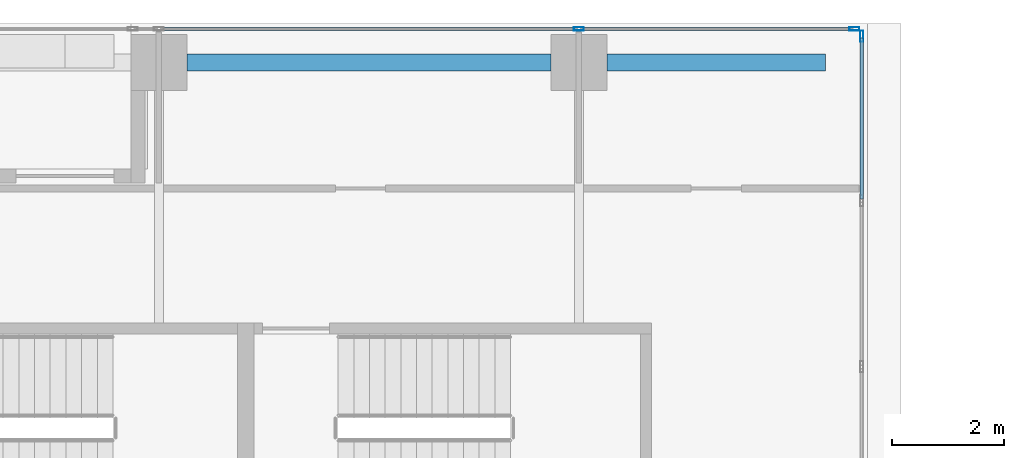
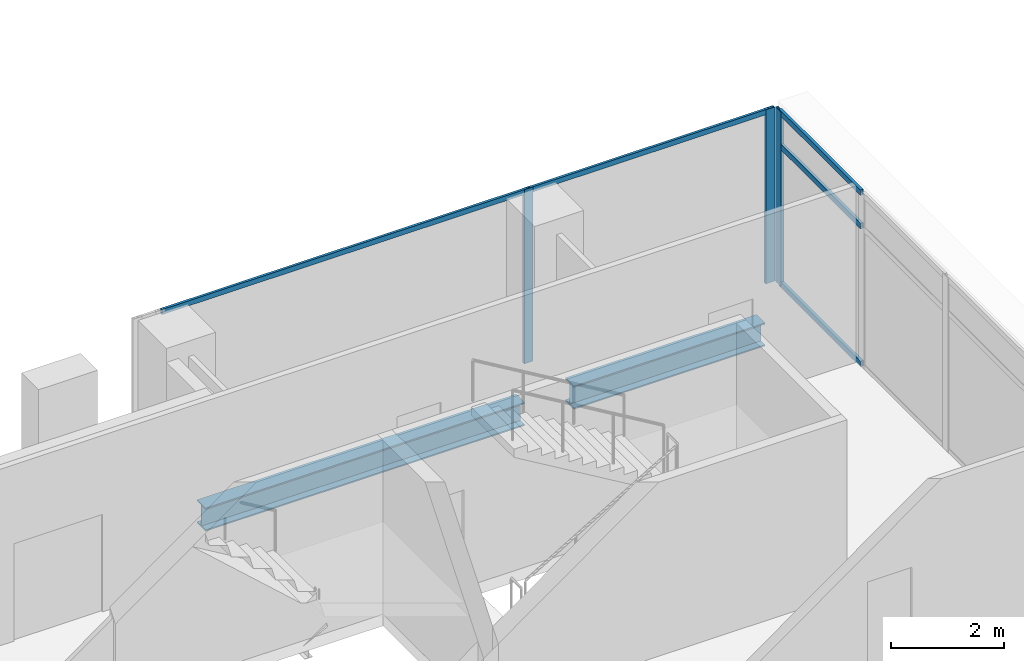
# One storey, part 24 of 38: 8 members, 2 beams, 2 elements without a shape of their own.
"""IFC4 building model written with IfcOpenShell, lengths in metres."""

from ifc_helpers import new_model, si_unit, direction, frame, origin, origin_2d, place, context, subcontext, project, spatial, hollow_rectangle, i_section, extrude, source, transform, mapped, material, material_profile, profile_set, type_object, element, aggregate, save


model = new_model("IFC4")

# Units and contexts
model_context = context("Model", 3, precision=1e-05, world=origin(), true_north=direction((0.0, 1.0)))
body_context = subcontext(model_context, "Body", "Model", "MODEL_VIEW")
ifc_project = project(units=[si_unit("LENGTHUNIT", "METRE"), si_unit("AREAUNIT", "SQUARE_METRE"), si_unit("VOLUMEUNIT", "CUBIC_METRE"), si_unit("PLANEANGLEUNIT", "RADIAN"), si_unit("MASSUNIT", "GRAM", prefix="KILO")], contexts=[model_context])

# Site, building, storey
site_placement = place(None, origin())
site = spatial("IfcSite", under=ifc_project, at=site_placement, CompositionType="ELEMENT")
building_placement = place(site_placement, origin())
building = spatial("IfcBuilding", under=site, at=building_placement, Name="Khomas Fold Tower", CompositionType="ELEMENT")
storey_placement = place(building_placement, frame((0.0, 0.0, 172.699951171875)))
storey = spatial("IfcBuildingStorey", under=building, at=storey_placement, Name="L37", CompositionType="ELEMENT", Elevation=172.699951171875)

# Beams
ifc_material_1 = material(Name="Steel S355", Category="steel")
ifc_material_profile_1 = material_profile(ifc_material_1, i_section(OverallWidth=0.300048828125, OverallDepth=0.5, WebThickness=0.014404296875, FlangeThickness=0.028076171875, at=origin_2d()), Name="HE 500 B")
ifc_profile_set_1 = profile_set([ifc_material_profile_1], Name="Steel S355")
beam_type = type_object("IfcBeamType", Name="HE 500 B spandrel SB3", PredefinedType="SPANDREL", material=ifc_profile_set_1)
shared_shape_1 = source(origin(), body_context, "Body", "SweptSolid", [
    extrude(i_section(OverallWidth=0.300048828125, OverallDepth=0.5, WebThickness=0.014404296875, FlangeThickness=0.028076171875, at=origin_2d()), origin(), (0.0, 0.0, 1.0), 6.5),
])
beam_1_placement = place(storey_placement, frame((20.0, 50.300048828125, -0.5), z_axis=(1.0, 0.0, 0.0), x_axis=(0.0, 1.0, 0.0)))
element("IfcBeam", 1, at=beam_1_placement, inside=storey, type_object=beam_type, Name="SB3", PredefinedType="SPANDREL", context=body_context, shape_type="MappedRepresentation", body=[
    mapped(shared_shape_1, transform((0.0, 0.0, 0.0))),
])
shared_shape_2 = source(origin(), body_context, "Body", "SweptSolid", [
    extrude(i_section(OverallWidth=0.300048828125, OverallDepth=0.5, WebThickness=0.014404296875, FlangeThickness=0.028076171875, at=origin_2d()), origin(), (0.0, 0.0, 1.0), 3.89990234375),
])
beam_2_placement = place(storey_placement, frame((27.5, 50.300048828125, -0.5), z_axis=(1.0, 0.0, 0.0), x_axis=(0.0, 1.0, 0.0)))
element("IfcBeam", 2, at=beam_2_placement, inside=storey, type_object=beam_type, Name="SB3", PredefinedType="SPANDREL", context=body_context, shape_type="MappedRepresentation", body=[
    mapped(shared_shape_2, transform((0.0, 0.0, 0.0))),
])

# Curtain wall, members
ifc_material_2 = material(Name="Aluminium framed double glazing", Category="aluminium")
curtain_wall_type_1 = type_object("IfcCurtainWallType", Name="SK-Unitised clear-glass wall, office floors CW2", PredefinedType="NOTDEFINED", material=ifc_material_2)
curtain_wall_1_placement = place(storey_placement, origin())
curtain_wall_1 = element("IfcCurtainWall", 3, at=curtain_wall_1_placement, inside=storey, type_object=curtain_wall_type_1, Name="CW2 run L37 15-0", PredefinedType="NOTDEFINED")
ifc_material_3 = material(Name="Aluminium", Category="aluminium")
ifc_material_profile_2 = material_profile(ifc_material_3, hollow_rectangle(XDim=0.06005859375, YDim=0.179931640625, WallThickness=0.00390625, at=origin_2d()), Name="SK-Unitised clear-glass wall, office floors mullion CW2-M")
ifc_profile_set_2 = profile_set([ifc_material_profile_2], Name="Aluminium")
member_type_1 = type_object("IfcMemberType", Name="SK-Unitised clear-glass wall, office floors mullion CW2-M", PredefinedType="MULLION", material=ifc_profile_set_2)
shared_shape_3 = source(origin(), body_context, "Body", "SweptSolid", [
    extrude(hollow_rectangle(XDim=0.06005859375, YDim=0.179931640625, WallThickness=0.00390625, at=origin_2d()), origin(), (0.0, 0.0, 1.0), 3.75),
])
member_1_placement = place(storey_placement, frame((31.919921875, 50.89990234375, 0.0), z_axis=(0.0, 0.0, 1.0), x_axis=(0.0, -1.0, 0.0)))
member_1 = element("IfcMember", 4, at=member_1_placement, type_object=member_type_1, Name="CW2 mullion 1", PredefinedType="MULLION", context=body_context, shape_type="MappedRepresentation", body=[
    mapped(shared_shape_3, transform((0.0, 0.0, 0.0))),
])
member_2_placement = place(storey_placement, frame((27.0, 50.89990234375, 0.0), z_axis=(0.0, 0.0, 1.0), x_axis=(0.0, -1.0, 0.0)))
member_2 = element("IfcMember", 5, at=member_2_placement, type_object=member_type_1, Name="CW2 mullion 2", PredefinedType="MULLION", context=body_context, shape_type="MappedRepresentation", body=[
    mapped(shared_shape_3, transform((0.0, 0.0, 0.0))),
])
ifc_material_4 = material(Name="Aluminium", Category="aluminium")
ifc_material_profile_3 = material_profile(ifc_material_4, hollow_rectangle(XDim=0.050048828125, YDim=0.110107421875, WallThickness=0.00390625, at=origin_2d()), Name="SK-Unitised clear-glass wall, office floors transom CW2-T")
ifc_profile_set_3 = profile_set([ifc_material_profile_3], Name="Aluminium")
member_type_2 = type_object("IfcMemberType", Name="SK-Unitised clear-glass wall, office floors transom CW2-T", PredefinedType="USERDEFINED", material=ifc_profile_set_3)
shared_shape_4 = source(origin(), body_context, "Body", "SweptSolid", [
    extrude(hollow_rectangle(XDim=0.050048828125, YDim=0.110107421875, WallThickness=0.00390625, at=origin_2d()), origin(), (0.0, 0.0, 1.0), 7.43994140625),
])
member_3_placement = place(storey_placement, frame((26.969970703125, 50.89990234375, 3.695068359375), z_axis=(-1.0, 0.0, 0.0), x_axis=(0.0, -1.0, 0.0)))
member_3 = element("IfcMember", 6, at=member_3_placement, type_object=member_type_2, Name="CW2 transom 2", ObjectType="TRANSOM", PredefinedType="USERDEFINED", context=body_context, shape_type="MappedRepresentation", body=[
    mapped(shared_shape_4, transform((0.0, 0.0, 0.0))),
])
shared_shape_5 = source(origin(), body_context, "Body", "SweptSolid", [
    extrude(hollow_rectangle(XDim=0.050048828125, YDim=0.110107421875, WallThickness=0.00390625, at=origin_2d()), origin(), (0.0, 0.0, 1.0), 4.85986328125),
])
member_4_placement = place(storey_placement, frame((31.889892578125, 50.89990234375, 3.695068359375), z_axis=(-1.0, 0.0, 0.0), x_axis=(0.0, -1.0, 0.0)))
member_4 = element("IfcMember", 7, at=member_4_placement, type_object=member_type_2, Name="CW2 transom 1", ObjectType="TRANSOM", PredefinedType="USERDEFINED", context=body_context, shape_type="MappedRepresentation", body=[
    mapped(shared_shape_5, transform((0.0, 0.0, 0.0))),
])
aggregate(curtain_wall_1, [member_1, member_2, member_4, member_3])

ifc_material_5 = material(Name="Aluminium framed double glazing", Category="aluminium")
curtain_wall_type_2 = type_object("IfcCurtainWallType", Name="Notch glazing GN-CW", PredefinedType="NOTDEFINED", material=ifc_material_5)
curtain_wall_2_placement = place(storey_placement, origin())
curtain_wall_2 = element("IfcCurtainWall", 8, at=curtain_wall_2_placement, inside=storey, type_object=curtain_wall_type_2, Name="Notch glazing run", PredefinedType="NOTDEFINED")
ifc_material_6 = material(Name="Aluminium", Category="aluminium")
ifc_material_profile_4 = material_profile(ifc_material_6, hollow_rectangle(XDim=0.06005859375, YDim=0.1201171875, WallThickness=0.00390625, at=origin_2d()), Name="Notch glazing transom GN-CW-T")
ifc_profile_set_4 = profile_set([ifc_material_profile_4], Name="Aluminium")
member_type_3 = type_object("IfcMemberType", Name="Notch glazing transom GN-CW-T", PredefinedType="USERDEFINED", material=ifc_profile_set_4)
shared_shape_6 = source(origin(), body_context, "Body", "SweptSolid", [
    extrude(hollow_rectangle(XDim=0.06005859375, YDim=0.1201171875, WallThickness=0.00390625, at=origin_2d()), origin(), (0.0, 0.0, 1.0), 2.876708984375),
])
member_5_placement = place(storey_placement, frame((32.050048828125, 47.86328125, 0.030029296875), z_axis=(0.0, 1.0, 0.0), x_axis=(-1.0, 0.0, 0.0)))
member_5 = element("IfcMember", 9, at=member_5_placement, type_object=member_type_3, Name="GN-CW transom 6.1", ObjectType="TRANSOM", PredefinedType="USERDEFINED", context=body_context, shape_type="MappedRepresentation", body=[
    mapped(shared_shape_6, transform((0.0, 0.0, 0.0))),
])
member_6_placement = place(storey_placement, frame((32.050048828125, 47.86328125, 3.0), z_axis=(0.0, 1.0, 0.0), x_axis=(-1.0, 0.0, 0.0)))
member_6 = element("IfcMember", 10, at=member_6_placement, type_object=member_type_3, Name="GN-CW transom 6.2", ObjectType="TRANSOM", PredefinedType="USERDEFINED", context=body_context, shape_type="MappedRepresentation", body=[
    mapped(shared_shape_6, transform((0.0, 0.0, 0.0))),
])
member_7_placement = place(storey_placement, frame((32.050048828125, 47.86328125, 3.719970703125), z_axis=(0.0, 1.0, 0.0), x_axis=(-1.0, 0.0, 0.0)))
member_7 = element("IfcMember", 11, at=member_7_placement, type_object=member_type_3, Name="GN-CW transom 6.3", ObjectType="TRANSOM", PredefinedType="USERDEFINED", context=body_context, shape_type="MappedRepresentation", body=[
    mapped(shared_shape_6, transform((0.0, 0.0, 0.0))),
])
ifc_material_7 = material(Name="Aluminium", Category="aluminium")
ifc_material_profile_5 = material_profile(ifc_material_7, hollow_rectangle(XDim=0.06005859375, YDim=0.199951171875, WallThickness=0.00390625, at=origin_2d()), Name="Notch glazing mullion GN-CW-M")
ifc_profile_set_5 = profile_set([ifc_material_profile_5], Name="Aluminium")
member_type_4 = type_object("IfcMemberType", Name="Notch glazing mullion GN-CW-M", PredefinedType="MULLION", material=ifc_profile_set_5)
shared_shape_7 = source(origin(), body_context, "Body", "SweptSolid", [
    extrude(hollow_rectangle(XDim=0.06005859375, YDim=0.199951171875, WallThickness=0.00390625, at=origin_2d()), origin(), (0.0, 0.0, 1.0), 3.75),
])
member_8_placement = place(storey_placement, frame((32.050048828125, 50.77001953125, 0.0), z_axis=(0.0, 0.0, 1.0), x_axis=(-1.0, 0.0, 0.0)))
member_8 = element("IfcMember", 12, at=member_8_placement, type_object=member_type_4, Name="GN-CW mullion 7", PredefinedType="MULLION", context=body_context, shape_type="MappedRepresentation", body=[
    mapped(shared_shape_7, transform((0.0, 0.0, 0.0))),
])
aggregate(curtain_wall_2, [member_8, member_5, member_6, member_7])

save(model, "model.ifc")
